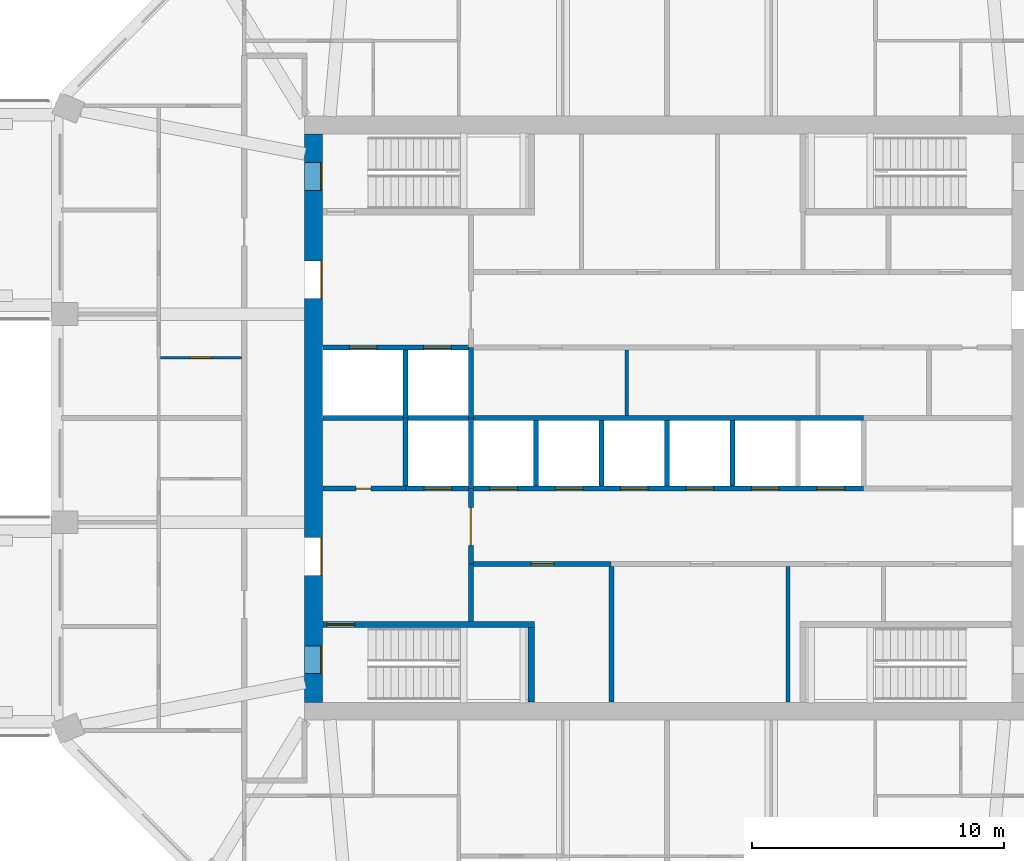
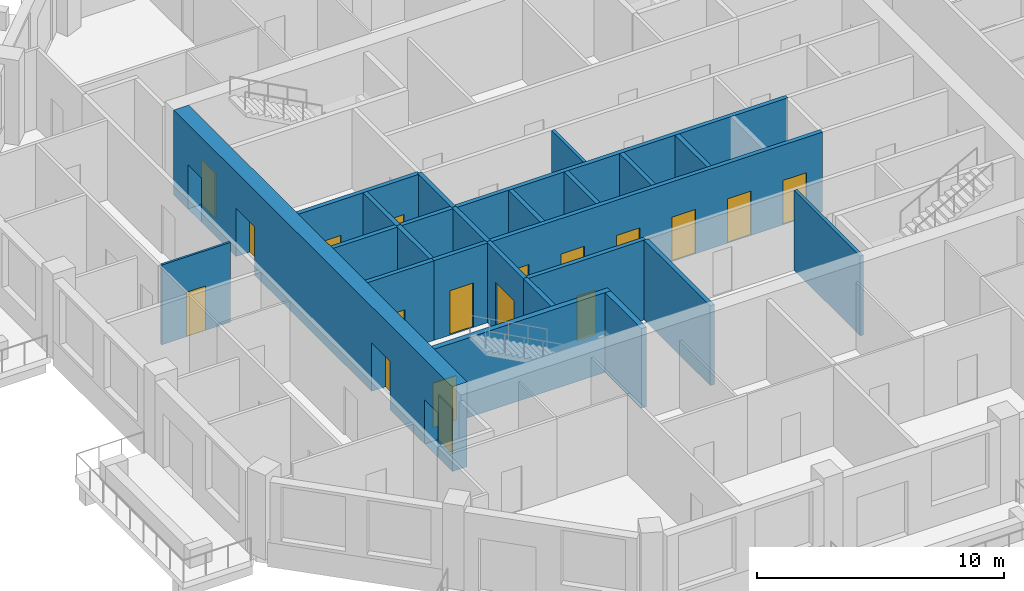
# One storey, part 4 of 12: 22 walls, 18 doors, 18 openings.
"""IFC4 building model written with IfcOpenShell, lengths in metres."""

from ifc_helpers import new_model, si_unit, direction, frame, frame_2d, origin, place, context, subcontext, project, spatial, rectangle, extrude, material, layer, layer_set, type_object, element, fill, save


model = new_model("IFC4")

# Units and contexts
model_context = context("Model", 3, precision=1e-05, world=origin(), true_north=direction((0.0, 1.0)))
body_context = subcontext(model_context, "Body", "Model", "MODEL_VIEW")
ifc_project = project(units=[si_unit("LENGTHUNIT", "METRE"), si_unit("AREAUNIT", "SQUARE_METRE"), si_unit("VOLUMEUNIT", "CUBIC_METRE"), si_unit("PLANEANGLEUNIT", "RADIAN"), si_unit("MASSUNIT", "GRAM", prefix="KILO")], contexts=[model_context])

# Site, building, storey
site_placement = place(None, origin())
site = spatial("IfcSite", under=ifc_project, at=site_placement, CompositionType="ELEMENT")
building_placement = place(site_placement, origin())
building = spatial("IfcBuilding", under=site, at=building_placement, Name="Msitu Wima Residences", CompositionType="ELEMENT")
storey_placement = place(building_placement, frame((0.0, 0.0, 170.699951171875)))
storey = spatial("IfcBuildingStorey", under=building, at=storey_placement, Name="L39", CompositionType="ELEMENT", Elevation=170.699951171875)

# Wall, openings, doors
ifc_material_1 = material(Name="Concrete C60/75", Category="concrete")
ifc_layer_1 = layer(ifc_material_1, 0.699951171875)
ifc_layer_set_1 = layer_set([ifc_layer_1], Name="Concrete C60/75")
wall_type_1 = type_object("IfcWallType", Name="Core wall CW700 C60/75", PredefinedType="SHEAR", material=ifc_layer_set_1)
wall_1_placement = place(storey_placement, frame((-14.050048828125, -11.300048828125, 0.0), z_axis=(0.0, 0.0, 1.0), x_axis=(0.0, 1.0, 0.0)))
wall_1 = element("IfcWall", 1, at=wall_1_placement, inside=storey, type_object=wall_type_1, Name="Core wall", PredefinedType="SHEAR", context=body_context, shape_type="SweptSolid", body=[
    extrude(rectangle(XDim=22.60009765625, YDim=0.699951171875, at=frame_2d((11.300048828125, 0.0))), origin(), (0.0, 0.0, 1.0), 4.199951171875),
])
opening_1_placement = place(wall_1_placement, frame((20.35009765625, 0.0, 0.0)))
opening_1 = element("IfcOpeningElement", 2, at=opening_1_placement, cuts=wall_1, Name="Opening D38-39.080", PredefinedType="OPENING", context=body_context, shape_type="SweptSolid", body=[
    extrude(rectangle(XDim=1.10009765625, YDim=2.199951171875, at=frame_2d((0.550048828125, 1.10009765625))), frame((0.0, 0.35986328125, 0.0), z_axis=(0.0, -1.0, 0.0), x_axis=(1.0, 0.0, 0.0)), (0.0, 0.0, 1.0), 0.719970703125),
])
opening_2_placement = place(wall_1_placement, frame((1.14990234375, 0.0, 0.0)))
opening_2 = element("IfcOpeningElement", 3, at=opening_2_placement, cuts=wall_1, Name="Opening D38-39.082", PredefinedType="OPENING", context=body_context, shape_type="SweptSolid", body=[
    extrude(rectangle(XDim=1.10009765625, YDim=2.199951171875, at=frame_2d((0.550048828125, 1.10009765625))), frame((0.0, 0.35986328125, 0.0), z_axis=(0.0, -1.0, 0.0), x_axis=(1.0, 0.0, 0.0)), (0.0, 0.0, 1.0), 0.719970703125),
])
opening_3_placement = place(wall_1_placement, frame((16.050048828125, 0.0, 0.0)))
opening_3 = element("IfcOpeningElement", 4, at=opening_3_placement, cuts=wall_1, Name="Opening D38-39.060", PredefinedType="OPENING", context=body_context, shape_type="SweptSolid", body=[
    extrude(rectangle(XDim=1.5, YDim=2.39990234375, at=frame_2d((0.75, 1.199951171875))), frame((0.0, 0.35986328125, 0.0), z_axis=(0.0, -1.0, 0.0), x_axis=(1.0, 0.0, 0.0)), (0.0, 0.0, 1.0), 0.719970703125),
])
opening_4_placement = place(wall_1_placement, frame((5.050048828125, 0.0, 0.0)))
opening_4 = element("IfcOpeningElement", 5, at=opening_4_placement, cuts=wall_1, Name="Opening D38-39.062", PredefinedType="OPENING", context=body_context, shape_type="SweptSolid", body=[
    extrude(rectangle(XDim=1.5, YDim=2.39990234375, at=frame_2d((0.75, 1.199951171875))), frame((0.0, 0.35986328125, 0.0), z_axis=(0.0, -1.0, 0.0), x_axis=(1.0, 0.0, 0.0)), (0.0, 0.0, 1.0), 0.719970703125),
])
ifc_material_2 = material(Name="Steel framed glazed door, fire resisting", Category="steel")
door_type_1 = type_object("IfcDoorType", Name="Lobby door D07 1500x2400", OperationType="DOUBLE_DOOR_SINGLE_SWING", PredefinedType="DOOR", material=ifc_material_2)
door_1_placement = place(opening_3_placement, origin())
door_1 = element("IfcDoor", 6, at=door_1_placement, inside=storey, type_object=door_type_1, Name="Lobby door", OperationType="DOUBLE_DOOR_SINGLE_SWING", OverallHeight=2.39990234375, OverallWidth=1.5, PredefinedType="DOOR", context=body_context, shape_type="SweptSolid", body=[
    extrude(rectangle(XDim=1.5, YDim=2.39990234375, at=frame_2d((0.75, 1.199951171875))), frame((0.0, -0.294921875, 0.0), z_axis=(0.0, -1.0, 0.0), x_axis=(1.0, 0.0, 0.0)), (0.0, 0.0, 1.0), 0.050048828125),
])
fill(opening_3, door_1)
door_2_placement = place(opening_4_placement, origin())
door_2 = element("IfcDoor", 7, at=door_2_placement, inside=storey, type_object=door_type_1, Name="Lobby door", OperationType="DOUBLE_DOOR_SINGLE_SWING", OverallHeight=2.39990234375, OverallWidth=1.5, PredefinedType="DOOR", context=body_context, shape_type="SweptSolid", body=[
    extrude(rectangle(XDim=1.5, YDim=2.39990234375, at=frame_2d((0.75, 1.199951171875))), frame((0.0, -0.294921875, 0.0), z_axis=(0.0, -1.0, 0.0), x_axis=(1.0, 0.0, 0.0)), (0.0, 0.0, 1.0), 0.050048828125),
])
fill(opening_4, door_2)
ifc_material_3 = material(Name="Steel door, fire resisting, panic bar", Category="steel")
door_type_2 = type_object("IfcDoorType", Name="Stair door D06 1100x2200", OperationType="SINGLE_SWING_LEFT", PredefinedType="DOOR", material=ifc_material_3)
door_3_placement = place(opening_1_placement, origin())
door_3 = element("IfcDoor", 8, at=door_3_placement, inside=storey, type_object=door_type_2, Name="Stair door", OperationType="SINGLE_SWING_RIGHT", OverallHeight=2.199951171875, OverallWidth=1.10009765625, PredefinedType="DOOR", context=body_context, shape_type="SweptSolid", body=[
    extrude(rectangle(XDim=1.10009765625, YDim=2.199951171875, at=frame_2d((0.550048828125, 1.10009765625))), frame((0.0, -0.294921875, 0.0), z_axis=(0.0, -1.0, 0.0), x_axis=(1.0, 0.0, 0.0)), (0.0, 0.0, 1.0), 0.050048828125),
])
fill(opening_1, door_3)
door_4_placement = place(opening_2_placement, origin())
door_4 = element("IfcDoor", 9, at=door_4_placement, inside=storey, type_object=door_type_2, Name="Stair door", OperationType="SINGLE_SWING_LEFT", OverallHeight=2.199951171875, OverallWidth=1.10009765625, PredefinedType="DOOR", context=body_context, shape_type="SweptSolid", body=[
    extrude(rectangle(XDim=1.10009765625, YDim=2.199951171875, at=frame_2d((0.550048828125, 1.10009765625))), frame((0.0, -0.294921875, 0.0), z_axis=(0.0, -1.0, 0.0), x_axis=(1.0, 0.0, 0.0)), (0.0, 0.0, 1.0), 0.050048828125),
])
fill(opening_2, door_4)

# Wall, opening, door
ifc_material_4 = material(Name="Plaster")
ifc_layer_2 = layer(ifc_material_4, 0.011962890625, Name="Plaster")
ifc_material_5 = material(Name="Concrete blockwork", Category="masonry")
ifc_layer_3 = layer(ifc_material_5, 0.176025390625, Name="Concrete blockwork")
ifc_layer_4 = layer(ifc_material_4, 0.011962890625, Name="Plaster")
ifc_layer_set_2 = layer_set([ifc_layer_2, ifc_layer_3, ifc_layer_4], Name="Concrete blockwork")
wall_type_2 = type_object("IfcWallType", Name="Corridor wall FW200", PredefinedType="PARTITIONING", material=ifc_layer_set_2)
wall_2_placement = place(storey_placement, frame((-7.800048828125, -5.800048828125, 0.0), z_axis=(0.0, 0.0, 1.0), x_axis=(0.0, 1.0, 0.0)))
wall_2 = element("IfcWall", 10, at=wall_2_placement, inside=storey, type_object=wall_type_2, Name="Corridor wall", PredefinedType="PARTITIONING", context=body_context, shape_type="SweptSolid", body=[
    extrude(rectangle(XDim=3.0, YDim=0.199951171875, at=frame_2d((1.5, 0.0))), origin(), (0.0, 0.0, 1.0), 3.949951171875),
])
opening_5_placement = place(wall_2_placement, frame((0.75, 0.0, 0.0)))
opening_5 = element("IfcOpeningElement", 11, at=opening_5_placement, cuts=wall_2, Name="Opening D38-39.063", PredefinedType="OPENING", context=body_context, shape_type="SweptSolid", body=[
    extrude(rectangle(XDim=1.5, YDim=2.39990234375, at=frame_2d((0.75, 1.199951171875))), frame((0.0, 0.10986328125, 0.0), z_axis=(0.0, -1.0, 0.0), x_axis=(1.0, 0.0, 0.0)), (0.0, 0.0, 1.0), 0.219970703125),
])
door_5_placement = place(opening_5_placement, origin())
door_5 = element("IfcDoor", 12, at=door_5_placement, inside=storey, type_object=door_type_1, Name="Lobby door", OperationType="DOUBLE_DOOR_SINGLE_SWING", OverallHeight=2.39990234375, OverallWidth=1.5, PredefinedType="DOOR", context=body_context, shape_type="SweptSolid", body=[
    extrude(rectangle(XDim=1.5, YDim=2.39990234375, at=frame_2d((0.75, 1.199951171875))), frame((0.0, 0.02490234375, 0.0), z_axis=(0.0, -1.0, 0.0), x_axis=(1.0, 0.0, 0.0)), (0.0, 0.0, 1.0), 0.050048828125),
])
fill(opening_5, door_5)

# Walls
ifc_layer_5 = layer(ifc_material_4, 0.011962890625, Name="Plaster")
ifc_layer_6 = layer(ifc_material_5, 0.1259765625, Name="Concrete blockwork")
ifc_layer_7 = layer(ifc_material_4, 0.011962890625, Name="Plaster")
ifc_layer_set_3 = layer_set([ifc_layer_5, ifc_layer_6, ifc_layer_7], Name="Concrete blockwork")
wall_type_3 = type_object("IfcWallType", Name="Partition PW150", PredefinedType="PARTITIONING", material=ifc_layer_set_3)
wall_3_placement = place(storey_placement, frame((-1.60009765625, 0.10009765625, 0.0), z_axis=(0.0, 0.0, 1.0), x_axis=(0.0, 1.0, 0.0)))
element("IfcWall", 13, at=wall_3_placement, inside=storey, type_object=wall_type_3, Name="Partition", PredefinedType="PARTITIONING", context=body_context, shape_type="SweptSolid", body=[
    extrude(rectangle(XDim=2.599853515625, YDim=0.14990234375, at=frame_2d((1.2998046875, 0.0))), origin(), (0.0, 0.0, 1.0), 3.949951171875),
])
wall_4_placement = place(storey_placement, frame((4.800048828125, -11.27001953125, 0.0), z_axis=(0.0, 0.0, 1.0), x_axis=(0.0, 1.0, 0.0)))
element("IfcWall", 14, at=wall_4_placement, inside=storey, type_object=wall_type_3, Name="Partition", PredefinedType="PARTITIONING", context=body_context, shape_type="SweptSolid", body=[
    extrude(rectangle(XDim=5.3701171875, YDim=0.14990234375, at=frame_2d((2.68505859375, 0.0))), origin(), (0.0, 0.0, 1.0), 3.949951171875),
])

# Wall, opening, door
ifc_layer_8 = layer(ifc_material_4, 0.011962890625, Name="Plaster")
ifc_material_6 = material(Name="Reinforced concrete blockwork", Category="masonry")
ifc_layer_9 = layer(ifc_material_6, 0.176025390625, Name="Reinforced concrete blockwork")
ifc_layer_10 = layer(ifc_material_4, 0.011962890625, Name="Plaster")
ifc_layer_set_4 = layer_set([ifc_layer_8, ifc_layer_9, ifc_layer_10], Name="Reinforced concrete blockwork")
wall_type_4 = type_object("IfcWallType", Name="Plant and riser wall PL200", PredefinedType="PARTITIONING", material=ifc_layer_set_4)
wall_5_placement = place(storey_placement, frame((-13.669921875, -2.800048828125, 0.0), z_axis=(0.0, 0.0, 1.0), x_axis=(1.0, 0.0, 0.0)))
wall_5 = element("IfcWall", 15, at=wall_5_placement, inside=storey, type_object=wall_type_4, Name="Plant and riser wall", PredefinedType="PARTITIONING", context=body_context, shape_type="SweptSolid", body=[
    extrude(rectangle(XDim=3.27001953125, YDim=0.199951171875, at=frame_2d((1.635009765625, 0.0))), origin(), (0.0, 0.0, 1.0), 3.949951171875),
])
opening_6_placement = place(wall_5_placement, frame((1.300048828125, 0.0, 0.0)))
opening_6 = element("IfcOpeningElement", 16, at=opening_6_placement, cuts=wall_5, Name="Opening D38-39.079", PredefinedType="OPENING", context=body_context, shape_type="SweptSolid", body=[
    extrude(rectangle(XDim=0.60009765625, YDim=2.0, at=frame_2d((0.300048828125, 1.0))), frame((0.0, 0.10986328125, 0.0), z_axis=(0.0, -1.0, 0.0), x_axis=(1.0, 0.0, 0.0)), (0.0, 0.0, 1.0), 0.219970703125),
])
ifc_material_7 = material(Name="Steel access door, fire resisting", Category="steel")
door_type_3 = type_object("IfcDoorType", Name="Riser access door D08 600x2000", OperationType="SINGLE_SWING_LEFT", PredefinedType="DOOR", material=ifc_material_7)
door_6_placement = place(opening_6_placement, origin())
door_6 = element("IfcDoor", 17, at=door_6_placement, inside=storey, type_object=door_type_3, Name="Riser access door", OperationType="SINGLE_SWING_RIGHT", OverallHeight=2.0, OverallWidth=0.60009765625, PredefinedType="DOOR", context=body_context, shape_type="SweptSolid", body=[
    extrude(rectangle(XDim=0.60009765625, YDim=2.0, at=frame_2d((0.300048828125, 1.0))), frame((0.0, 0.02490234375, 0.0), z_axis=(0.0, -1.0, 0.0), x_axis=(1.0, 0.0, 0.0)), (0.0, 0.0, 1.0), 0.050048828125),
])
fill(opening_6, door_6)

# Wall
wall_6_placement = place(storey_placement, frame((-7.800048828125, -8.074951171875, 0.0), z_axis=(0.0, 0.0, 1.0), x_axis=(0.0, 1.0, 0.0)))
element("IfcWall", 18, at=wall_6_placement, inside=storey, type_object=wall_type_4, Name="Plant and riser wall", PredefinedType="PARTITIONING", context=body_context, shape_type="SweptSolid", body=[
    extrude(rectangle(XDim=2.27490234375, YDim=0.199951171875, at=frame_2d((1.137451171875, 0.0))), origin(), (0.0, 0.0, 1.0), 3.949951171875),
])

# Wall, opening, door
wall_7_placement = place(storey_placement, frame((-7.699951171875, -5.800048828125, 0.0), z_axis=(0.0, 0.0, 1.0), x_axis=(1.0, 0.0, 0.0)))
wall_7 = element("IfcWall", 19, at=wall_7_placement, inside=storey, type_object=wall_type_4, Name="Plant and riser wall", PredefinedType="PARTITIONING", context=body_context, shape_type="SweptSolid", body=[
    extrude(rectangle(XDim=5.47998046875, YDim=0.199951171875, at=frame_2d((2.739990234375, 0.0))), origin(), (0.0, 0.0, 1.0), 3.949951171875),
])
opening_7_placement = place(wall_7_placement, frame((2.300048828125, 0.0, 0.0)))
opening_7 = element("IfcOpeningElement", 20, at=opening_7_placement, cuts=wall_7, Name="Opening D38-39.069", PredefinedType="OPENING", context=body_context, shape_type="SweptSolid", body=[
    extrude(rectangle(XDim=0.89990234375, YDim=2.199951171875, at=frame_2d((0.449951171875, 1.10009765625))), frame((0.0, 0.10986328125, 0.0), z_axis=(0.0, -1.0, 0.0), x_axis=(1.0, 0.0, 0.0)), (0.0, 0.0, 1.0), 0.219970703125),
])
ifc_material_8 = material(Name="Timber flush door", Category="wood")
door_type_4 = type_object("IfcDoorType", Name="Service door D05 900x2200", OperationType="SINGLE_SWING_LEFT", PredefinedType="DOOR", material=ifc_material_8)
door_7_placement = place(opening_7_placement, origin())
door_7 = element("IfcDoor", 21, at=door_7_placement, inside=storey, type_object=door_type_4, Name="Service door", OperationType="SINGLE_SWING_LEFT", OverallHeight=2.199951171875, OverallWidth=0.89990234375, PredefinedType="DOOR", context=body_context, shape_type="SweptSolid", body=[
    extrude(rectangle(XDim=0.89990234375, YDim=2.199951171875, at=frame_2d((0.449951171875, 1.10009765625))), frame((0.0, 0.02490234375, 0.0), z_axis=(0.0, -1.0, 0.0), x_axis=(1.0, 0.0, 0.0)), (0.0, 0.0, 1.0), 0.050048828125),
])
fill(opening_7, door_7)

# Walls
wall_8_placement = place(storey_placement, frame((-2.199951171875, -11.27001953125, 0.0), z_axis=(0.0, 0.0, 1.0), x_axis=(0.0, 1.0, 0.0)))
element("IfcWall", 22, at=wall_8_placement, inside=storey, type_object=wall_type_4, Name="Plant and riser wall", PredefinedType="PARTITIONING", context=body_context, shape_type="SweptSolid", body=[
    extrude(rectangle(XDim=5.3701171875, YDim=0.199951171875, at=frame_2d((2.68505859375, 0.0))), origin(), (0.0, 0.0, 1.0), 3.949951171875),
])
ifc_material_9 = material(Name="Fire-rated board")
ifc_layer_11 = layer(ifc_material_9, 0.02490234375, Name="Fire-rated board")
ifc_material_10 = material(Name="Light-gauge stud framing with mineral wool")
ifc_layer_12 = layer(ifc_material_10, 0.14990234375, Name="Light-gauge stud framing with mineral wool")
ifc_layer_13 = layer(ifc_material_9, 0.02490234375, Name="Fire-rated board")
ifc_layer_set_5 = layer_set([ifc_layer_11, ifc_layer_12, ifc_layer_13], Name="Light-gauge stud framing with mineral wool")
wall_type_5 = type_object("IfcWallType", Name="Shaft wall SH200", PredefinedType="PARTITIONING", material=ifc_layer_set_5)
wall_9_placement = place(storey_placement, frame((-13.669921875, 0.0, 0.0), z_axis=(0.0, 0.0, 1.0), x_axis=(1.0, 0.0, 0.0)))
element("IfcWall", 23, at=wall_9_placement, inside=storey, type_object=wall_type_5, Name="Shaft wall", PredefinedType="PARTITIONING", context=body_context, shape_type="SweptSolid", body=[
    extrude(rectangle(XDim=21.469970703125, YDim=0.199951171875, at=frame_2d((10.73486328125, 0.0))), origin(), (0.0, 0.0, 1.0), 3.949951171875),
])

# Wall, openings, doors
wall_10_placement = place(storey_placement, frame((-13.669921875, 2.800048828125, 0.0), z_axis=(0.0, 0.0, 1.0), x_axis=(1.0, 0.0, 0.0)))
wall_10 = element("IfcWall", 24, at=wall_10_placement, inside=storey, type_object=wall_type_5, Name="Shaft wall", PredefinedType="PARTITIONING", context=body_context, shape_type="SweptSolid", body=[
    extrude(rectangle(XDim=5.849853515625, YDim=0.199951171875, at=frame_2d((2.9248046875, 0.0))), origin(), (0.0, 0.0, 1.0), 3.949951171875),
])
opening_8_placement = place(wall_10_placement, frame((1.050048828125, 0.0, 0.0)))
opening_8 = element("IfcOpeningElement", 25, at=opening_8_placement, cuts=wall_10, Name="Opening LD", PredefinedType="OPENING", context=body_context, shape_type="SweptSolid", body=[
    extrude(rectangle(XDim=1.10009765625, YDim=2.199951171875, at=frame_2d((0.550048828125, 1.10009765625))), frame((0.0, 0.10986328125, 0.0), z_axis=(0.0, -1.0, 0.0), x_axis=(1.0, 0.0, 0.0)), (0.0, 0.0, 1.0), 0.219970703125),
])
opening_9_placement = place(wall_10_placement, frame((4.0, 0.0, 0.0)))
opening_9 = element("IfcOpeningElement", 26, at=opening_9_placement, cuts=wall_10, Name="Opening LD", PredefinedType="OPENING", context=body_context, shape_type="SweptSolid", body=[
    extrude(rectangle(XDim=1.10009765625, YDim=2.199951171875, at=frame_2d((0.550048828125, 1.10009765625))), frame((0.0, 0.10986328125, 0.0), z_axis=(0.0, -1.0, 0.0), x_axis=(1.0, 0.0, 0.0)), (0.0, 0.0, 1.0), 0.219970703125),
])
ifc_material_11 = material(Name="Stainless steel centre-opening landing door, rated", Category="steel")
door_type_5 = type_object("IfcDoorType", Name="Lift landing door LD 1100x2200", OperationType="DOUBLE_DOOR_SLIDING", PredefinedType="DOOR", material=ifc_material_11)
door_8_placement = place(opening_8_placement, origin())
door_8 = element("IfcDoor", 27, at=door_8_placement, inside=storey, type_object=door_type_5, Name="Lift landing door LD1", OperationType="DOUBLE_DOOR_SLIDING", OverallHeight=2.199951171875, OverallWidth=1.10009765625, PredefinedType="DOOR", context=body_context, shape_type="SweptSolid", body=[
    extrude(rectangle(XDim=1.10009765625, YDim=2.199951171875, at=frame_2d((0.550048828125, 1.10009765625))), frame((0.0, 0.02490234375, 0.0), z_axis=(0.0, -1.0, 0.0), x_axis=(1.0, 0.0, 0.0)), (0.0, 0.0, 1.0), 0.050048828125),
])
fill(opening_8, door_8)
door_9_placement = place(opening_9_placement, origin())
door_9 = element("IfcDoor", 28, at=door_9_placement, inside=storey, type_object=door_type_5, Name="Lift landing door LD2", OperationType="DOUBLE_DOOR_SLIDING", OverallHeight=2.199951171875, OverallWidth=1.10009765625, PredefinedType="DOOR", context=body_context, shape_type="SweptSolid", body=[
    extrude(rectangle(XDim=1.10009765625, YDim=2.199951171875, at=frame_2d((0.550048828125, 1.10009765625))), frame((0.0, 0.02490234375, 0.0), z_axis=(0.0, -1.0, 0.0), x_axis=(1.0, 0.0, 0.0)), (0.0, 0.0, 1.0), 0.050048828125),
])
fill(opening_9, door_9)

# Wall
wall_11_placement = place(storey_placement, frame((-10.39990234375, -2.699951171875, 0.0), z_axis=(0.0, 0.0, 1.0), x_axis=(0.0, 1.0, 0.0)))
element("IfcWall", 29, at=wall_11_placement, inside=storey, type_object=wall_type_5, Name="Shaft wall", PredefinedType="PARTITIONING", context=body_context, shape_type="SweptSolid", body=[
    extrude(rectangle(XDim=2.699951171875, YDim=0.199951171875, at=frame_2d((1.35009765625, 0.0))), origin(), (0.0, 0.0, 1.0), 3.949951171875),
])

# Wall, openings, doors
wall_12_placement = place(storey_placement, frame((-10.39990234375, -2.800048828125, 0.0), z_axis=(0.0, 0.0, 1.0), x_axis=(1.0, 0.0, 0.0)))
wall_12 = element("IfcWall", 30, at=wall_12_placement, inside=storey, type_object=wall_type_5, Name="Shaft wall", PredefinedType="PARTITIONING", context=body_context, shape_type="SweptSolid", body=[
    extrude(rectangle(XDim=18.199951171875, YDim=0.199951171875, at=frame_2d((9.10009765625, 0.0))), origin(), (0.0, 0.0, 1.0), 3.949951171875),
])
opening_10_placement = place(wall_12_placement, frame((0.75, 0.0, 0.0)))
opening_10 = element("IfcOpeningElement", 31, at=opening_10_placement, cuts=wall_12, Name="Opening LD", PredefinedType="OPENING", context=body_context, shape_type="SweptSolid", body=[
    extrude(rectangle(XDim=1.10009765625, YDim=2.199951171875, at=frame_2d((0.550048828125, 1.10009765625))), frame((0.0, 0.10986328125, 0.0), z_axis=(0.0, -1.0, 0.0), x_axis=(1.0, 0.0, 0.0)), (0.0, 0.0, 1.0), 0.219970703125),
])
opening_11_placement = place(wall_12_placement, frame((3.35009765625, 0.0, 0.0)))
opening_11 = element("IfcOpeningElement", 32, at=opening_11_placement, cuts=wall_12, Name="Opening LD", PredefinedType="OPENING", context=body_context, shape_type="SweptSolid", body=[
    extrude(rectangle(XDim=1.10009765625, YDim=2.199951171875, at=frame_2d((0.550048828125, 1.10009765625))), frame((0.0, 0.10986328125, 0.0), z_axis=(0.0, -1.0, 0.0), x_axis=(1.0, 0.0, 0.0)), (0.0, 0.0, 1.0), 0.219970703125),
])
opening_12_placement = place(wall_12_placement, frame((5.949951171875, 0.0, 0.0)))
opening_12 = element("IfcOpeningElement", 33, at=opening_12_placement, cuts=wall_12, Name="Opening LD", PredefinedType="OPENING", context=body_context, shape_type="SweptSolid", body=[
    extrude(rectangle(XDim=1.10009765625, YDim=2.199951171875, at=frame_2d((0.550048828125, 1.10009765625))), frame((0.0, 0.10986328125, 0.0), z_axis=(0.0, -1.0, 0.0), x_axis=(1.0, 0.0, 0.0)), (0.0, 0.0, 1.0), 0.219970703125),
])
opening_13_placement = place(wall_12_placement, frame((8.550048828125, 0.0, 0.0)))
opening_13 = element("IfcOpeningElement", 34, at=opening_13_placement, cuts=wall_12, Name="Opening LD", PredefinedType="OPENING", context=body_context, shape_type="SweptSolid", body=[
    extrude(rectangle(XDim=1.10009765625, YDim=2.199951171875, at=frame_2d((0.550048828125, 1.10009765625))), frame((0.0, 0.10986328125, 0.0), z_axis=(0.0, -1.0, 0.0), x_axis=(1.0, 0.0, 0.0)), (0.0, 0.0, 1.0), 0.219970703125),
])
opening_14_placement = place(wall_12_placement, frame((11.14990234375, 0.0, 0.0)))
opening_14 = element("IfcOpeningElement", 35, at=opening_14_placement, cuts=wall_12, Name="Opening LD", PredefinedType="OPENING", context=body_context, shape_type="SweptSolid", body=[
    extrude(rectangle(XDim=1.10009765625, YDim=2.199951171875, at=frame_2d((0.550048828125, 1.10009765625))), frame((0.0, 0.10986328125, 0.0), z_axis=(0.0, -1.0, 0.0), x_axis=(1.0, 0.0, 0.0)), (0.0, 0.0, 1.0), 0.219970703125),
])
opening_15_placement = place(wall_12_placement, frame((13.75, 0.0, 0.0)))
opening_15 = element("IfcOpeningElement", 36, at=opening_15_placement, cuts=wall_12, Name="Opening LD", PredefinedType="OPENING", context=body_context, shape_type="SweptSolid", body=[
    extrude(rectangle(XDim=1.10009765625, YDim=2.199951171875, at=frame_2d((0.550048828125, 1.10009765625))), frame((0.0, 0.10986328125, 0.0), z_axis=(0.0, -1.0, 0.0), x_axis=(1.0, 0.0, 0.0)), (0.0, 0.0, 1.0), 0.219970703125),
])
opening_16_placement = place(wall_12_placement, frame((16.35009765625, 0.0, 0.0)))
opening_16 = element("IfcOpeningElement", 37, at=opening_16_placement, cuts=wall_12, Name="Opening LD", PredefinedType="OPENING", context=body_context, shape_type="SweptSolid", body=[
    extrude(rectangle(XDim=1.10009765625, YDim=2.199951171875, at=frame_2d((0.550048828125, 1.10009765625))), frame((0.0, 0.10986328125, 0.0), z_axis=(0.0, -1.0, 0.0), x_axis=(1.0, 0.0, 0.0)), (0.0, 0.0, 1.0), 0.219970703125),
])
door_10_placement = place(opening_10_placement, origin())
door_10 = element("IfcDoor", 38, at=door_10_placement, inside=storey, type_object=door_type_5, Name="Lift landing door LD3", OperationType="DOUBLE_DOOR_SLIDING", OverallHeight=2.199951171875, OverallWidth=1.10009765625, PredefinedType="DOOR", context=body_context, shape_type="SweptSolid", body=[
    extrude(rectangle(XDim=1.10009765625, YDim=2.199951171875, at=frame_2d((0.550048828125, 1.10009765625))), frame((0.0, 0.02490234375, 0.0), z_axis=(0.0, -1.0, 0.0), x_axis=(1.0, 0.0, 0.0)), (0.0, 0.0, 1.0), 0.050048828125),
])
fill(opening_10, door_10)
door_11_placement = place(opening_11_placement, origin())
door_11 = element("IfcDoor", 39, at=door_11_placement, inside=storey, type_object=door_type_5, Name="Lift landing door LD5", OperationType="DOUBLE_DOOR_SLIDING", OverallHeight=2.199951171875, OverallWidth=1.10009765625, PredefinedType="DOOR", context=body_context, shape_type="SweptSolid", body=[
    extrude(rectangle(XDim=1.10009765625, YDim=2.199951171875, at=frame_2d((0.550048828125, 1.10009765625))), frame((0.0, 0.02490234375, 0.0), z_axis=(0.0, -1.0, 0.0), x_axis=(1.0, 0.0, 0.0)), (0.0, 0.0, 1.0), 0.050048828125),
])
fill(opening_11, door_11)
door_12_placement = place(opening_12_placement, origin())
door_12 = element("IfcDoor", 40, at=door_12_placement, inside=storey, type_object=door_type_5, Name="Lift landing door LD7", OperationType="DOUBLE_DOOR_SLIDING", OverallHeight=2.199951171875, OverallWidth=1.10009765625, PredefinedType="DOOR", context=body_context, shape_type="SweptSolid", body=[
    extrude(rectangle(XDim=1.10009765625, YDim=2.199951171875, at=frame_2d((0.550048828125, 1.10009765625))), frame((0.0, 0.02490234375, 0.0), z_axis=(0.0, -1.0, 0.0), x_axis=(1.0, 0.0, 0.0)), (0.0, 0.0, 1.0), 0.050048828125),
])
fill(opening_12, door_12)
door_13_placement = place(opening_13_placement, origin())
door_13 = element("IfcDoor", 41, at=door_13_placement, inside=storey, type_object=door_type_5, Name="Lift landing door LD9", OperationType="DOUBLE_DOOR_SLIDING", OverallHeight=2.199951171875, OverallWidth=1.10009765625, PredefinedType="DOOR", context=body_context, shape_type="SweptSolid", body=[
    extrude(rectangle(XDim=1.10009765625, YDim=2.199951171875, at=frame_2d((0.550048828125, 1.10009765625))), frame((0.0, 0.02490234375, 0.0), z_axis=(0.0, -1.0, 0.0), x_axis=(1.0, 0.0, 0.0)), (0.0, 0.0, 1.0), 0.050048828125),
])
fill(opening_13, door_13)
door_14_placement = place(opening_14_placement, origin())
door_14 = element("IfcDoor", 42, at=door_14_placement, inside=storey, type_object=door_type_5, Name="Lift landing door LD11", OperationType="DOUBLE_DOOR_SLIDING", OverallHeight=2.199951171875, OverallWidth=1.10009765625, PredefinedType="DOOR", context=body_context, shape_type="SweptSolid", body=[
    extrude(rectangle(XDim=1.10009765625, YDim=2.199951171875, at=frame_2d((0.550048828125, 1.10009765625))), frame((0.0, 0.02490234375, 0.0), z_axis=(0.0, -1.0, 0.0), x_axis=(1.0, 0.0, 0.0)), (0.0, 0.0, 1.0), 0.050048828125),
])
fill(opening_14, door_14)
door_15_placement = place(opening_15_placement, origin())
door_15 = element("IfcDoor", 43, at=door_15_placement, inside=storey, type_object=door_type_5, Name="Lift landing door LD13", OperationType="DOUBLE_DOOR_SLIDING", OverallHeight=2.199951171875, OverallWidth=1.10009765625, PredefinedType="DOOR", context=body_context, shape_type="SweptSolid", body=[
    extrude(rectangle(XDim=1.10009765625, YDim=2.199951171875, at=frame_2d((0.550048828125, 1.10009765625))), frame((0.0, 0.02490234375, 0.0), z_axis=(0.0, -1.0, 0.0), x_axis=(1.0, 0.0, 0.0)), (0.0, 0.0, 1.0), 0.050048828125),
])
fill(opening_15, door_15)
door_16_placement = place(opening_16_placement, origin())
door_16 = element("IfcDoor", 44, at=door_16_placement, inside=storey, type_object=door_type_5, Name="Lift landing door LD15", OperationType="DOUBLE_DOOR_SLIDING", OverallHeight=2.199951171875, OverallWidth=1.10009765625, PredefinedType="DOOR", context=body_context, shape_type="SweptSolid", body=[
    extrude(rectangle(XDim=1.10009765625, YDim=2.199951171875, at=frame_2d((0.550048828125, 1.10009765625))), frame((0.0, 0.02490234375, 0.0), z_axis=(0.0, -1.0, 0.0), x_axis=(1.0, 0.0, 0.0)), (0.0, 0.0, 1.0), 0.050048828125),
])
fill(opening_16, door_16)

# Walls
wall_13_placement = place(storey_placement, frame((-10.39990234375, 0.0, 0.0), z_axis=(0.0, 0.0, 1.0), x_axis=(0.0, 1.0, 0.0)))
element("IfcWall", 45, at=wall_13_placement, inside=storey, type_object=wall_type_5, Name="Shaft wall", PredefinedType="PARTITIONING", context=body_context, shape_type="SweptSolid", body=[
    extrude(rectangle(XDim=2.699951171875, YDim=0.199951171875, at=frame_2d((1.35009765625, 0.0))), origin(), (0.0, 0.0, 1.0), 3.949951171875),
])
for number, where, z_axis, x_axis, name in (
    (46, (-7.800048828125, -2.800048828125, 0.0), (0.0, 0.0, 1.0), (0.0, 1.0, 0.0), "Shaft wall"),
    (47, (-7.800048828125, 0.0, 0.0), (0.0, 0.0, 1.0), (0.0, 1.0, 0.0), "Shaft wall"),
):
    element("IfcWall", number, at=place(storey_placement, frame(where, z_axis=z_axis, x_axis=x_axis)), inside=storey, type_object=wall_type_5, Name=name, PredefinedType="PARTITIONING", context=body_context, shape_type="SweptSolid", body=[
        extrude(rectangle(XDim=2.800048828125, YDim=0.199951171875, at=frame_2d((1.39990234375, 0.0))), origin(), (0.0, 0.0, 1.0), 3.949951171875),
    ])
for number, where, z_axis, x_axis, name in (
    (48, (-5.199951171875, -2.699951171875, 0.0), (0.0, 0.0, 1.0), (0.0, 1.0, 0.0), "Shaft wall"),
    (49, (-2.60009765625, -2.699951171875, 0.0), (0.0, 0.0, 1.0), (0.0, 1.0, 0.0), "Shaft wall"),
    (50, (0.0, -2.699951171875, 0.0), (0.0, 0.0, 1.0), (0.0, 1.0, 0.0), "Shaft wall"),
    (51, (2.60009765625, -2.699951171875, 0.0), (0.0, 0.0, 1.0), (0.0, 1.0, 0.0), "Shaft wall"),
):
    element("IfcWall", number, at=place(storey_placement, frame(where, z_axis=z_axis, x_axis=x_axis)), inside=storey, type_object=wall_type_5, Name=name, PredefinedType="PARTITIONING", context=body_context, shape_type="SweptSolid", body=[
        extrude(rectangle(XDim=2.599853515625, YDim=0.199951171875, at=frame_2d((1.2998046875, 0.0))), origin(), (0.0, 0.0, 1.0), 3.949951171875),
    ])

# Wall, opening, door
ifc_material_12 = material(Name="Concrete C50/60", Category="concrete")
ifc_layer_14 = layer(ifc_material_12, 0.25)
ifc_layer_set_6 = layer_set([ifc_layer_14], Name="Concrete C50/60")
wall_type_6 = type_object("IfcWallType", Name="Stair enclosure wall SW250", PredefinedType="SHEAR", material=ifc_layer_set_6)
wall_14_placement = place(storey_placement, frame((-13.669921875, -8.199951171875, 0.0), z_axis=(0.0, 0.0, 1.0), x_axis=(1.0, 0.0, 0.0)))
wall_14 = element("IfcWall", 52, at=wall_14_placement, inside=storey, type_object=wall_type_6, Name="Stair enclosure wall", PredefinedType="SHEAR", context=body_context, shape_type="SweptSolid", body=[
    extrude(rectangle(XDim=8.39501953125, YDim=0.25, at=frame_2d((4.197509765625, 0.0))), origin(), (0.0, 0.0, 1.0), 3.949951171875),
])
opening_17_placement = place(wall_14_placement, frame((0.14990234375, 0.0, 0.0)))
opening_17 = element("IfcOpeningElement", 53, at=opening_17_placement, cuts=wall_14, Name="Opening D38-39.083", PredefinedType="OPENING", context=body_context, shape_type="SweptSolid", body=[
    extrude(rectangle(XDim=1.10009765625, YDim=2.199951171875, at=frame_2d((0.550048828125, 1.10009765625))), frame((0.0, 0.135009765625, 0.0), z_axis=(0.0, -1.0, 0.0), x_axis=(1.0, 0.0, 0.0)), (0.0, 0.0, 1.0), 0.27001953125),
])
door_17_placement = place(opening_17_placement, origin())
door_17 = element("IfcDoor", 54, at=door_17_placement, inside=storey, type_object=door_type_2, Name="Stair door", OperationType="SINGLE_SWING_RIGHT", OverallHeight=2.199951171875, OverallWidth=1.10009765625, PredefinedType="DOOR", context=body_context, shape_type="SweptSolid", body=[
    extrude(rectangle(XDim=1.10009765625, YDim=2.199951171875, at=frame_2d((0.550048828125, 1.10009765625))), frame((0.0, 0.02490234375, 0.0), z_axis=(0.0, -1.0, 0.0), x_axis=(1.0, 0.0, 0.0)), (0.0, 0.0, 1.0), 0.050048828125),
])
fill(opening_17, door_17)

# Wall
wall_15_placement = place(storey_placement, frame((-5.39990234375, -11.27001953125, 0.0), z_axis=(0.0, 0.0, 1.0), x_axis=(0.0, 1.0, 0.0)))
element("IfcWall", 55, at=wall_15_placement, inside=storey, type_object=wall_type_6, Name="Stair enclosure wall", PredefinedType="SHEAR", context=body_context, shape_type="SweptSolid", body=[
    extrude(rectangle(XDim=2.945068359375, YDim=0.25, at=frame_2d((1.47265625, 0.0))), origin(), (0.0, 0.0, 1.0), 3.949951171875),
])

# Wall, opening, door
ifc_material_13 = material(Name="Ceramic tiles")
ifc_layer_15 = layer(ifc_material_13, 0.008056640625, Name="Ceramic tiles")
ifc_material_14 = material(Name="Moisture-resistant board")
ifc_layer_16 = layer(ifc_material_14, 0.012451171875, Name="Moisture-resistant board")
ifc_layer_17 = layer(ifc_material_10, 0.06689453125, Name="Light-gauge stud framing with mineral wool")
ifc_layer_18 = layer(ifc_material_14, 0.012451171875, Name="Moisture-resistant board")
ifc_layer_set_7 = layer_set([ifc_layer_15, ifc_layer_16, ifc_layer_17, ifc_layer_18], Name="Light-gauge stud framing with mineral wool")
wall_type_7 = type_object("IfcWallType", Name="Wet wall PW100", PredefinedType="PARTITIONING", material=ifc_layer_set_7)
wall_16_placement = place(storey_placement, frame((-20.125, 2.39990234375, 0.0), z_axis=(0.0, 0.0, 1.0), x_axis=(1.0, 0.0, 0.0)))
wall_16 = element("IfcWall", 56, at=wall_16_placement, inside=storey, type_object=wall_type_7, Name="Wet wall", PredefinedType="PARTITIONING", context=body_context, shape_type="SweptSolid", body=[
    extrude(rectangle(XDim=3.22509765625, YDim=0.10009765625, at=frame_2d((1.612548828125, 0.0))), origin(), (0.0, 0.0, 1.0), 3.949951171875),
])
opening_18_placement = place(wall_16_placement, frame((1.14990234375, 0.0, 0.0)))
opening_18 = element("IfcOpeningElement", 57, at=opening_18_placement, cuts=wall_16, Name="Opening D38-39.024", PredefinedType="OPENING", context=body_context, shape_type="SweptSolid", body=[
    extrude(rectangle(XDim=0.89990234375, YDim=2.199951171875, at=frame_2d((0.449951171875, 1.10009765625))), frame((0.0, 0.06005859375, 0.0), z_axis=(0.0, -1.0, 0.0), x_axis=(1.0, 0.0, 0.0)), (0.0, 0.0, 1.0), 0.1201171875),
])
ifc_material_15 = material(Name="Timber flush door, moisture resistant", Category="wood")
door_type_6 = type_object("IfcDoorType", Name="Bathroom door D03 900x2200", OperationType="SINGLE_SWING_LEFT", PredefinedType="DOOR", material=ifc_material_15)
door_18_placement = place(opening_18_placement, origin())
door_18 = element("IfcDoor", 58, at=door_18_placement, inside=storey, type_object=door_type_6, Name="Bathroom door", OperationType="SINGLE_SWING_RIGHT", OverallHeight=2.199951171875, OverallWidth=0.89990234375, PredefinedType="DOOR", context=body_context, shape_type="SweptSolid", body=[
    extrude(rectangle(XDim=0.89990234375, YDim=2.199951171875, at=frame_2d((0.449951171875, 1.10009765625))), frame((0.0, 0.02490234375, 0.0), z_axis=(0.0, -1.0, 0.0), x_axis=(1.0, 0.0, 0.0)), (0.0, 0.0, 1.0), 0.050048828125),
])
fill(opening_18, door_18)

save(model, "model.ifc")
